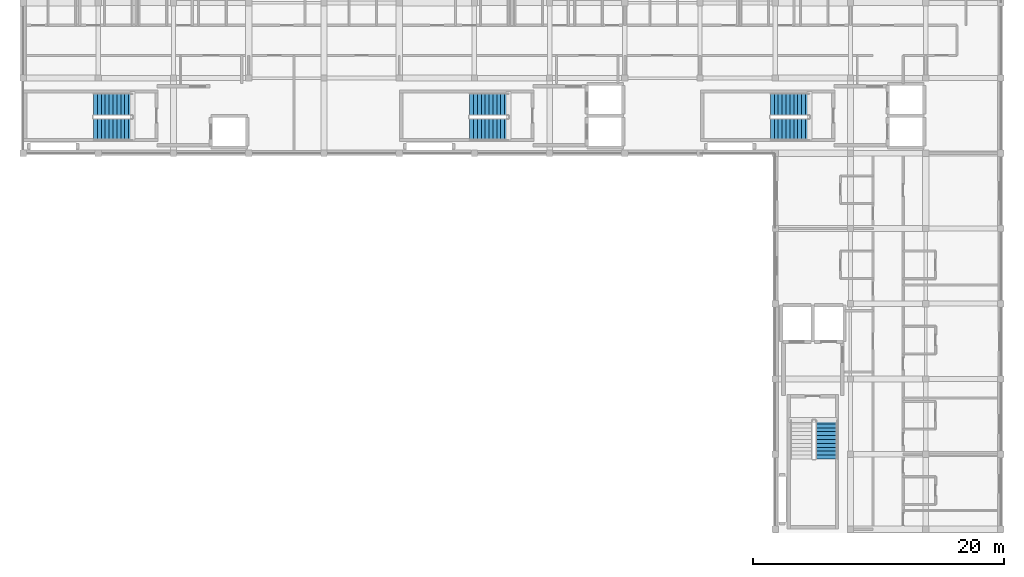
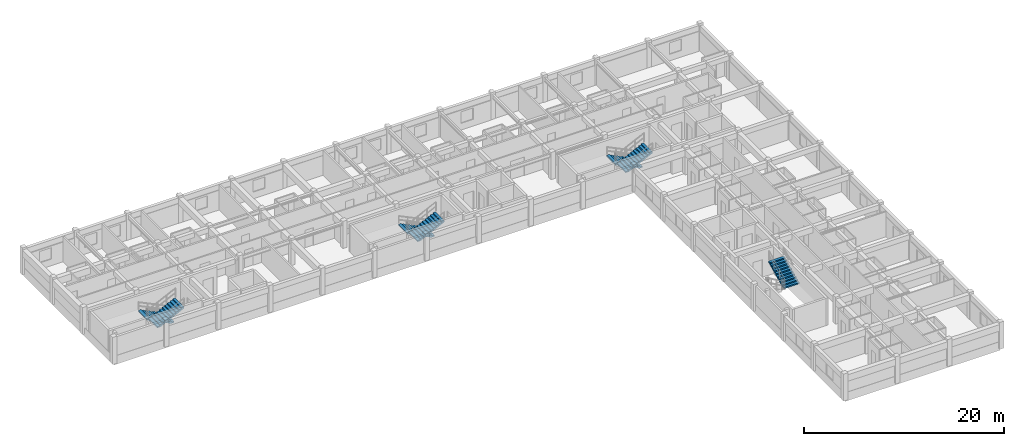
# One storey, part 10 of 14: 7 stair flights, 4 elements without a shape of their own.
"""IFC4 building model written with IfcOpenShell, lengths in metres."""

from ifc_helpers import new_model, si_unit, direction, frame, origin, place, context, subcontext, project, spatial, polyline, outline, extrude, material, type_object, element, aggregate, save


model = new_model("IFC4")

# Units and contexts
model_context = context("Model", 3, precision=1e-05, world=origin(), true_north=direction((0.0, 1.0)))
body_context = subcontext(model_context, "Body", "Model", "MODEL_VIEW")
ifc_project = project(units=[si_unit("LENGTHUNIT", "METRE"), si_unit("AREAUNIT", "SQUARE_METRE"), si_unit("VOLUMEUNIT", "CUBIC_METRE"), si_unit("PLANEANGLEUNIT", "RADIAN"), si_unit("MASSUNIT", "GRAM", prefix="KILO"), si_unit("THERMODYNAMICTEMPERATUREUNIT", "KELVIN"), si_unit("POWERUNIT", "WATT")], contexts=[model_context])

# Site, building, storey
site_placement = place(None, origin())
site = spatial("IfcSite", under=ifc_project, at=site_placement, CompositionType="ELEMENT")
building_placement = place(site_placement, origin())
building = spatial("IfcBuilding", under=site, at=building_placement, Name="Phaisarnlok Congress Hotel", CompositionType="ELEMENT")
storey_placement = place(building_placement, frame((0.0, 0.0, 48.0)))
storey = spatial("IfcBuildingStorey", under=building, at=storey_placement, Name="L12", CompositionType="ELEMENT", Elevation=48.0)

# Stair, stair flights
ifc_material = material(Name="Concrete C40/50", Category="concrete")
stair_type = type_object("IfcStairType", Name="STR-DOG-05", PredefinedType="HALF_TURN_STAIR", material=ifc_material)
stair_1_placement = place(storey_placement, origin())
stair_1 = element("IfcStair", 1, at=stair_1_placement, inside=storey, type_object=stair_type, Name="L12 ST-05", PredefinedType="HALF_TURN_STAIR")
stair_flight_type = type_object("IfcStairFlightType", Name="SFL-RC-05", PredefinedType="STRAIGHT", material=ifc_material)
stair_flight_1_placement = place(storey_placement, frame((164.719970703125, 111.909912109375, 0.0), z_axis=(0.0, 0.0, 1.0), x_axis=(-1.0, 0.0, 0.0)))
stair_flight_1 = element("IfcStairFlight", 2, at=stair_flight_1_placement, type_object=stair_flight_type, Name="ST-05 flight 1", NumberOfRisers=11, NumberOfTreads=10, PredefinedType="STRAIGHT", RiserHeight=0.15, TreadLength=0.31, context=body_context, shape_type="SweptSolid", body=[
    extrude(outline(polyline([(0.0, 0.0), (0.0, 0.14990234375), (0.31005859375, 0.14990234375), (0.31005859375, 0.300048828125), (0.6201171875, 0.300048828125), (0.6201171875, 0.449951171875), (0.929931640625, 0.449951171875), (0.929931640625, 0.60009765625), (1.239990234375, 0.60009765625), (1.239990234375, 0.75), (1.550048828125, 0.75), (1.550048828125, 0.89990234375), (1.860107421875, 0.89990234375), (1.860107421875, 1.050048828125), (2.169921875, 1.050048828125), (2.169921875, 1.199951171875), (2.47998046875, 1.199951171875), (2.47998046875, 1.35009765625), (2.7900390625, 1.35009765625), (2.7900390625, 1.5), (3.10009765625, 1.5), (3.10009765625, 1.64990234375), (3.10009765625, 1.33349609375), (0.34423828125, 0.0), (0.0, 0.0)])), frame((0.0, 0.89013671875, 0.0), z_axis=(0.0, -1.0, 0.0), x_axis=(1.0, 0.0, 0.0)), (0.0, 0.0, 1.0), 1.780029296875),
])
stair_flight_2_placement = place(storey_placement, frame((161.6201171875, 109.889892578125, 1.64990234375), z_axis=(0.0, 0.0, 1.0), x_axis=(1.0, 0.0, 0.0)))
stair_flight_2 = element("IfcStairFlight", 3, at=stair_flight_2_placement, type_object=stair_flight_type, Name="ST-05 flight 2", NumberOfRisers=11, NumberOfTreads=10, PredefinedType="STRAIGHT", RiserHeight=0.15, TreadLength=0.31, context=body_context, shape_type="SweptSolid", body=[
    extrude(outline(polyline([(0.0, 0.0), (0.0, 0.14990234375), (0.31005859375, 0.14990234375), (0.31005859375, 0.300048828125), (0.6201171875, 0.300048828125), (0.6201171875, 0.449951171875), (0.929931640625, 0.449951171875), (0.929931640625, 0.60009765625), (1.239990234375, 0.60009765625), (1.239990234375, 0.75), (1.550048828125, 0.75), (1.550048828125, 0.89990234375), (1.860107421875, 0.89990234375), (1.860107421875, 1.050048828125), (2.169921875, 1.050048828125), (2.169921875, 1.199951171875), (2.47998046875, 1.199951171875), (2.47998046875, 1.35009765625), (2.7900390625, 1.35009765625), (2.7900390625, 1.5), (3.10009765625, 1.5), (3.10009765625, 1.64990234375), (3.10009765625, 1.33349609375), (0.34423828125, 0.0), (0.0, 0.0)])), frame((0.0, 0.89013671875, 0.0), z_axis=(0.0, -1.0, 0.0), x_axis=(1.0, 0.0, 0.0)), (0.0, 0.0, 1.0), 1.780029296875),
])
aggregate(stair_1, [stair_flight_1, stair_flight_2])

stair_2_placement = place(storey_placement, origin())
stair_2 = element("IfcStair", 4, at=stair_2_placement, inside=storey, type_object=stair_type, Name="L12 ST-06", PredefinedType="HALF_TURN_STAIR")
stair_flight_3_placement = place(storey_placement, frame((140.719970703125, 111.909912109375, 0.0), z_axis=(0.0, 0.0, 1.0), x_axis=(-1.0, 0.0, 0.0)))
stair_flight_3 = element("IfcStairFlight", 5, at=stair_flight_3_placement, type_object=stair_flight_type, Name="ST-06 flight 1", NumberOfRisers=11, NumberOfTreads=10, PredefinedType="STRAIGHT", RiserHeight=0.15, TreadLength=0.31, context=body_context, shape_type="SweptSolid", body=[
    extrude(outline(polyline([(0.0, 0.0), (0.0, 0.14990234375), (0.31005859375, 0.14990234375), (0.31005859375, 0.300048828125), (0.6201171875, 0.300048828125), (0.6201171875, 0.449951171875), (0.929931640625, 0.449951171875), (0.929931640625, 0.60009765625), (1.239990234375, 0.60009765625), (1.239990234375, 0.75), (1.550048828125, 0.75), (1.550048828125, 0.89990234375), (1.860107421875, 0.89990234375), (1.860107421875, 1.050048828125), (2.169921875, 1.050048828125), (2.169921875, 1.199951171875), (2.47998046875, 1.199951171875), (2.47998046875, 1.35009765625), (2.7900390625, 1.35009765625), (2.7900390625, 1.5), (3.10009765625, 1.5), (3.10009765625, 1.64990234375), (3.10009765625, 1.33349609375), (0.34423828125, 0.0), (0.0, 0.0)])), frame((0.0, 0.89013671875, 0.0), z_axis=(0.0, -1.0, 0.0), x_axis=(1.0, 0.0, 0.0)), (0.0, 0.0, 1.0), 1.780029296875),
])
stair_flight_4_placement = place(storey_placement, frame((137.6201171875, 109.889892578125, 1.64990234375), z_axis=(0.0, 0.0, 1.0), x_axis=(1.0, 0.0, 0.0)))
stair_flight_4 = element("IfcStairFlight", 6, at=stair_flight_4_placement, type_object=stair_flight_type, Name="ST-06 flight 2", NumberOfRisers=11, NumberOfTreads=10, PredefinedType="STRAIGHT", RiserHeight=0.15, TreadLength=0.31, context=body_context, shape_type="SweptSolid", body=[
    extrude(outline(polyline([(0.0, 0.0), (0.0, 0.14990234375), (0.31005859375, 0.14990234375), (0.31005859375, 0.300048828125), (0.6201171875, 0.300048828125), (0.6201171875, 0.449951171875), (0.929931640625, 0.449951171875), (0.929931640625, 0.60009765625), (1.239990234375, 0.60009765625), (1.239990234375, 0.75), (1.550048828125, 0.75), (1.550048828125, 0.89990234375), (1.860107421875, 0.89990234375), (1.860107421875, 1.050048828125), (2.169921875, 1.050048828125), (2.169921875, 1.199951171875), (2.47998046875, 1.199951171875), (2.47998046875, 1.35009765625), (2.7900390625, 1.35009765625), (2.7900390625, 1.5), (3.10009765625, 1.5), (3.10009765625, 1.64990234375), (3.10009765625, 1.33349609375), (0.34423828125, 0.0), (0.0, 0.0)])), frame((0.0, 0.89013671875, 0.0), z_axis=(0.0, -1.0, 0.0), x_axis=(1.0, 0.0, 0.0)), (0.0, 0.0, 1.0), 1.780029296875),
])
aggregate(stair_2, [stair_flight_3, stair_flight_4])

stair_3_placement = place(storey_placement, origin())
stair_3 = element("IfcStair", 7, at=stair_3_placement, inside=storey, type_object=stair_type, Name="L12 ST-07", PredefinedType="HALF_TURN_STAIR")
stair_flight_5_placement = place(storey_placement, frame((110.719970703125, 111.909912109375, 0.0), z_axis=(0.0, 0.0, 1.0), x_axis=(-1.0, 0.0, 0.0)))
stair_flight_5 = element("IfcStairFlight", 8, at=stair_flight_5_placement, type_object=stair_flight_type, Name="ST-07 flight 1", NumberOfRisers=11, NumberOfTreads=10, PredefinedType="STRAIGHT", RiserHeight=0.15, TreadLength=0.31, context=body_context, shape_type="SweptSolid", body=[
    extrude(outline(polyline([(0.0, 0.0), (0.0, 0.14990234375), (0.31005859375, 0.14990234375), (0.31005859375, 0.300048828125), (0.6201171875, 0.300048828125), (0.6201171875, 0.449951171875), (0.929931640625, 0.449951171875), (0.929931640625, 0.60009765625), (1.239990234375, 0.60009765625), (1.239990234375, 0.75), (1.550048828125, 0.75), (1.550048828125, 0.89990234375), (1.860107421875, 0.89990234375), (1.860107421875, 1.050048828125), (2.169921875, 1.050048828125), (2.169921875, 1.199951171875), (2.47998046875, 1.199951171875), (2.47998046875, 1.35009765625), (2.7900390625, 1.35009765625), (2.7900390625, 1.5), (3.10009765625, 1.5), (3.10009765625, 1.64990234375), (3.10009765625, 1.33349609375), (0.34423828125, 0.0), (0.0, 0.0)])), frame((0.0, 0.89013671875, 0.0), z_axis=(0.0, -1.0, 0.0), x_axis=(1.0, 0.0, 0.0)), (0.0, 0.0, 1.0), 1.780029296875),
])
stair_flight_6_placement = place(storey_placement, frame((107.6201171875, 109.889892578125, 1.64990234375), z_axis=(0.0, 0.0, 1.0), x_axis=(1.0, 0.0, 0.0)))
stair_flight_6 = element("IfcStairFlight", 9, at=stair_flight_6_placement, type_object=stair_flight_type, Name="ST-07 flight 2", NumberOfRisers=11, NumberOfTreads=10, PredefinedType="STRAIGHT", RiserHeight=0.15, TreadLength=0.31, context=body_context, shape_type="SweptSolid", body=[
    extrude(outline(polyline([(0.0, 0.0), (0.0, 0.14990234375), (0.31005859375, 0.14990234375), (0.31005859375, 0.300048828125), (0.6201171875, 0.300048828125), (0.6201171875, 0.449951171875), (0.929931640625, 0.449951171875), (0.929931640625, 0.60009765625), (1.239990234375, 0.60009765625), (1.239990234375, 0.75), (1.550048828125, 0.75), (1.550048828125, 0.89990234375), (1.860107421875, 0.89990234375), (1.860107421875, 1.050048828125), (2.169921875, 1.050048828125), (2.169921875, 1.199951171875), (2.47998046875, 1.199951171875), (2.47998046875, 1.35009765625), (2.7900390625, 1.35009765625), (2.7900390625, 1.5), (3.10009765625, 1.5), (3.10009765625, 1.64990234375), (3.10009765625, 1.33349609375), (0.34423828125, 0.0), (0.0, 0.0)])), frame((0.0, 0.89013671875, 0.0), z_axis=(0.0, -1.0, 0.0), x_axis=(1.0, 0.0, 0.0)), (0.0, 0.0, 1.0), 1.780029296875),
])
aggregate(stair_3, [stair_flight_5, stair_flight_6])

# Stair, stair flight
stair_4_placement = place(storey_placement, origin())
stair_4 = element("IfcStair", 10, at=stair_4_placement, inside=storey, type_object=stair_type, Name="L12 ST-09", PredefinedType="HALF_TURN_STAIR")
stair_flight_7_placement = place(storey_placement, frame((166.110107421875, 83.6201171875, 1.64990234375), z_axis=(0.0, 0.0, 1.0), x_axis=(0.0, 1.0, 0.0)))
stair_flight_7 = element("IfcStairFlight", 11, at=stair_flight_7_placement, type_object=stair_flight_type, Name="ST-09 flight 2", NumberOfRisers=11, NumberOfTreads=10, PredefinedType="STRAIGHT", RiserHeight=0.15, TreadLength=0.31, context=body_context, shape_type="SweptSolid", body=[
    extrude(outline(polyline([(0.0, 0.0), (0.0, 0.14990234375), (0.31005859375, 0.14990234375), (0.31005859375, 0.300048828125), (0.6201171875, 0.300048828125), (0.6201171875, 0.449951171875), (0.929931640625, 0.449951171875), (0.929931640625, 0.60009765625), (1.239990234375, 0.60009765625), (1.239990234375, 0.75), (1.550048828125, 0.75), (1.550048828125, 0.89990234375), (1.860107421875, 0.89990234375), (1.860107421875, 1.050048828125), (2.169921875, 1.050048828125), (2.169921875, 1.199951171875), (2.47998046875, 1.199951171875), (2.47998046875, 1.35009765625), (2.7900390625, 1.35009765625), (2.7900390625, 1.5), (3.10009765625, 1.5), (3.10009765625, 1.64990234375), (3.10009765625, 1.33349609375), (0.34423828125, 0.0), (0.0, 0.0)])), frame((0.0, 0.89013671875, 0.0), z_axis=(0.0, -1.0, 0.0), x_axis=(1.0, 0.0, 0.0)), (0.0, 0.0, 1.0), 1.780029296875),
])
aggregate(stair_4, [stair_flight_7])

save(model, "model.ifc")
